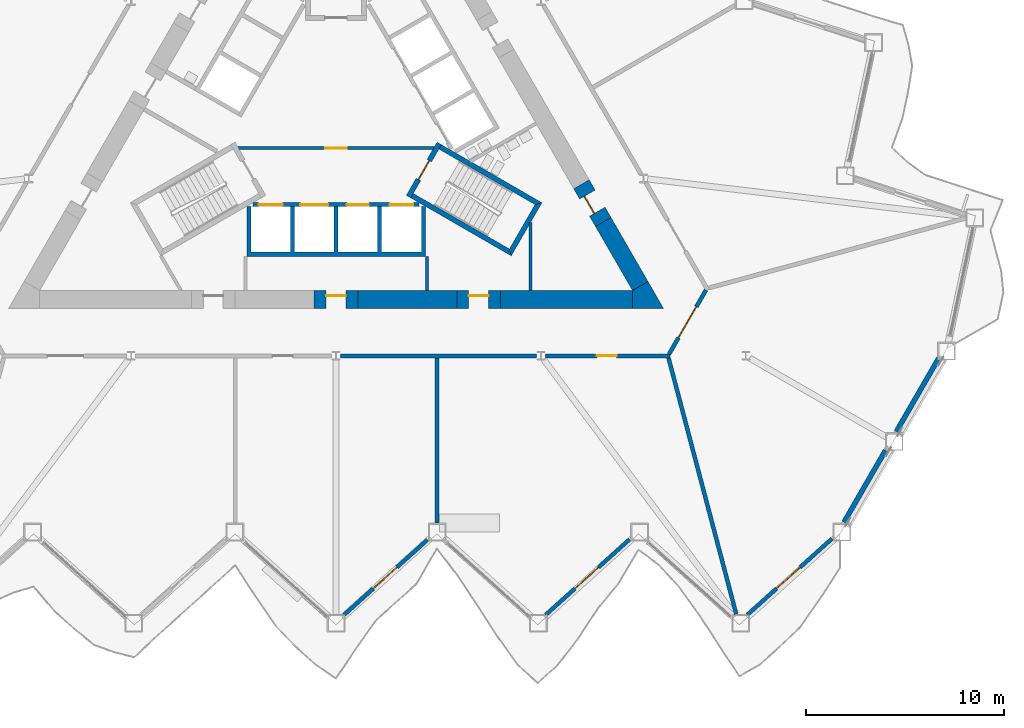
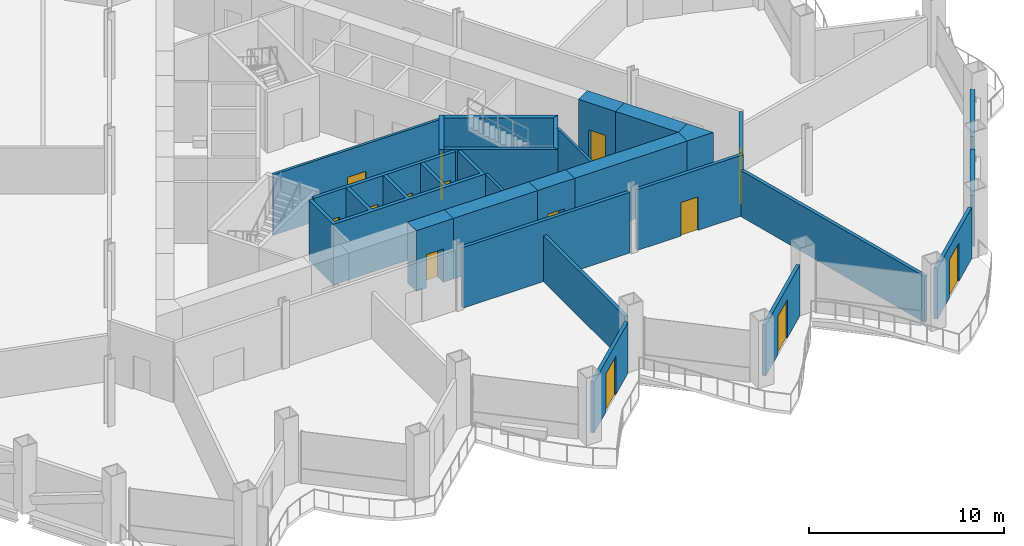
# One storey, part 11 of 21: 26 walls, 14 doors, 14 openings.
"""IFC4 building model written with IfcOpenShell, lengths in metres."""

from ifc_helpers import new_model, si_unit, direction, frame, frame_2d, origin, place, context, subcontext, project, spatial, polyline, rectangle, outline, extrude, material, layer, layer_set, type_object, element, fill, save


model = new_model("IFC4")

# Units and contexts
model_context = context("Model", 3, precision=1e-05, world=origin(), true_north=direction((0.0, 1.0)))
body_context = subcontext(model_context, "Body", "Model", "MODEL_VIEW")
ifc_project = project(units=[si_unit("LENGTHUNIT", "METRE"), si_unit("AREAUNIT", "SQUARE_METRE"), si_unit("VOLUMEUNIT", "CUBIC_METRE"), si_unit("PLANEANGLEUNIT", "RADIAN"), si_unit("MASSUNIT", "GRAM", prefix="KILO")], contexts=[model_context])

# Site, building, storey
site_placement = place(None, origin())
site = spatial("IfcSite", under=ifc_project, at=site_placement, CompositionType="ELEMENT")
building_placement = place(site_placement, origin())
building = spatial("IfcBuilding", under=site, at=building_placement, Name="Cormorant Prow Tower", CompositionType="ELEMENT")
storey_placement = place(building_placement, frame((0.0, 0.0, 150.0)))
storey = spatial("IfcBuildingStorey", under=building, at=storey_placement, Name="L32", CompositionType="ELEMENT", Elevation=150.0)

# Wall, opening, door
ifc_material_1 = material(Name="Gypsum board partition")
ifc_layer_1 = layer(ifc_material_1, 0.14990234375)
ifc_layer_set_1 = layer_set([ifc_layer_1], Name="Gypsum board partition")
wall_type_1 = type_object("IfcWallType", Name="Core partition 150", PredefinedType="PARTITIONING", material=ifc_layer_set_1)
wall_1_placement = place(storey_placement, frame((-4.941162109375, -1.449951171875, 0.0), z_axis=(0.0, 0.0, 1.0), x_axis=(1.0, 0.0, 0.0)))
wall_1 = element("IfcWall", 1, at=wall_1_placement, inside=storey, type_object=wall_type_1, Name="Firefighting lobby partition", PredefinedType="PARTITIONING", context=body_context, shape_type="SweptSolid", body=[
    extrude(rectangle(XDim=9.88232421875, YDim=0.14990234375, at=frame_2d((4.941162109375, 0.0))), origin(), (0.0, 0.0, 1.0), 3.800048828125),
])
opening_1_placement = place(wall_1_placement, frame((4.39111328125, 0.0, 0.0)))
opening_1 = element("IfcOpeningElement", 2, at=opening_1_placement, cuts=wall_1, Name="Opening L32-C08", PredefinedType="OPENING", context=body_context, shape_type="SweptSolid", body=[
    extrude(rectangle(XDim=1.10009765625, YDim=2.10009765625, at=frame_2d((0.550048828125, 1.050048828125))), frame((0.0, 0.0849609375, 0.0), z_axis=(0.0, -1.0, 0.0), x_axis=(1.0, 0.0, 0.0)), (0.0, 0.0, 1.0), 0.169921875),
])
ifc_material_2 = material(Name="Painted steel", Category="steel")
door_type_1 = type_object("IfcDoorType", Name="Firefighting lobby door 1100x2100", OperationType="NOTDEFINED", PredefinedType="DOOR", material=ifc_material_2)
door_1_placement = place(opening_1_placement, origin())
door_1 = element("IfcDoor", 3, at=door_1_placement, inside=storey, type_object=door_type_1, Name="Firefighting lobby door", OperationType="SINGLE_SWING_RIGHT", OverallHeight=2.10009765625, OverallWidth=1.10009765625, PredefinedType="DOOR", context=body_context, shape_type="SweptSolid", body=[
    extrude(rectangle(XDim=1.10009765625, YDim=2.10009765625, at=frame_2d((0.550048828125, 1.050048828125))), frame((0.0, 0.02490234375, 0.0), z_axis=(0.0, -1.0, 0.0), x_axis=(1.0, 0.0, 0.0)), (0.0, 0.0, 1.0), 0.050048828125),
])
fill(opening_1, door_1)

# Walls
wall_2_placement = place(storey_placement, frame((4.574951171875, -6.906005859375, 0.0), z_axis=(0.0, 0.0, 1.0), x_axis=(0.0, -1.0, 0.0)))
element("IfcWall", 4, at=wall_2_placement, inside=storey, type_object=wall_type_1, Name="Service room partition", PredefinedType="PARTITIONING", context=body_context, shape_type="SweptSolid", body=[
    extrude(rectangle(XDim=1.72021484375, YDim=0.14990234375, at=frame_2d((0.860107421875, 0.0))), origin(), (0.0, 0.0, 1.0), 3.800048828125),
])
wall_3_placement = place(storey_placement, frame((9.795654296875, -8.626220703125, 0.0), z_axis=(0.0, 0.0, 1.0), x_axis=(0.0, 1.0, 0.0)))
element("IfcWall", 5, at=wall_3_placement, inside=storey, type_object=wall_type_1, Name="Service room partition", PredefinedType="PARTITIONING", context=body_context, shape_type="SweptSolid", body=[
    extrude(rectangle(XDim=3.428955078125, YDim=0.14990234375, at=frame_2d((1.71435546875, 0.0))), origin(), (0.0, 0.0, 1.0), 3.800048828125),
])
ifc_material_3 = material(Name="Concrete 8000 psi", Category="concrete")
ifc_layer_2 = layer(ifc_material_3, 0.89990234375)
ifc_layer_set_2 = layer_set([ifc_layer_2], Name="Concrete 8000 psi")
wall_type_2 = type_object("IfcWallType", Name="Core shear wall 900", PredefinedType="SHEAR", material=ifc_layer_set_2)
wall_4_placement = place(storey_placement, frame((8.285400390625, -9.076416015625, 0.0), z_axis=(0.0, 0.0, 1.0), x_axis=(1.0, 0.0, 0.0)))
element("IfcWall", 6, at=wall_4_placement, inside=storey, type_object=wall_type_2, Name="Core wall", PredefinedType="SHEAR", context=body_context, shape_type="SweptSolid", body=[
    extrude(rectangle(XDim=6.65576171875, YDim=0.89990234375, at=frame_2d((3.327880859375, 0.0))), origin(), (0.0, 0.0, 1.0), 3.800048828125),
])
wall_5_placement = place(storey_placement, frame((1.10009765625, -9.076416015625, 0.0), z_axis=(0.0, 0.0, 1.0), x_axis=(1.0, 0.0, 0.0)))
element("IfcWall", 7, at=wall_5_placement, inside=storey, type_object=wall_type_2, Name="Core wall", PredefinedType="SHEAR", context=body_context, shape_type="SweptSolid", body=[
    extrude(rectangle(XDim=4.985107421875, YDim=0.89990234375, at=frame_2d((2.49267578125, 0.0))), origin(), (0.0, 0.0, 1.0), 3.800048828125),
])
wall_6_placement = place(storey_placement, frame((15.330810546875, -8.4013671875, 0.0), z_axis=(0.0, 0.0, 1.0), x_axis=(-0.499976014784, 0.866039251212, 0.0)))
element("IfcWall", 8, at=wall_6_placement, inside=storey, type_object=wall_type_2, Name="Core wall", PredefinedType="SHEAR", context=body_context, shape_type="SweptSolid", body=[
    extrude(rectangle(XDim=3.722900390625, YDim=0.89990234375, at=frame_2d((1.861328125, 0.0))), origin(), (0.0, 0.0, 1.0), 3.800048828125),
])
wall_7_placement = place(storey_placement, origin())
element("IfcWall", 9, at=wall_7_placement, inside=storey, type_object=wall_type_2, Name="Core wall corner", PredefinedType="SHEAR", context=body_context, shape_type="SweptSolid", body=[
    extrude(outline(polyline([(14.941162109375, -8.626220703125), (15.720703125, -8.17626953125), (16.5, -9.5263671875), (14.941162109375, -9.5263671875), (14.941162109375, -8.626220703125)])), origin(), (0.0, 0.0, 1.0), 3.800048828125),
])

# Wall, opening, door
wall_8_placement = place(storey_placement, frame((-1.10009765625, -9.076416015625, 0.0), z_axis=(0.0, 0.0, 1.0), x_axis=(1.0, 0.0, 0.0)))
wall_8 = element("IfcWall", 10, at=wall_8_placement, inside=storey, type_object=wall_type_2, Name="Core wall door panel", PredefinedType="SHEAR", context=body_context, shape_type="SweptSolid", body=[
    extrude(rectangle(XDim=2.2001953125, YDim=0.89990234375, at=frame_2d((1.10009765625, 0.0))), origin(), (0.0, 0.0, 1.0), 3.800048828125),
])
opening_2_placement = place(wall_8_placement, frame((0.60009765625, 0.0, 0.0)))
opening_2 = element("IfcOpeningElement", 11, at=opening_2_placement, cuts=wall_8, Name="Opening L32-C12", PredefinedType="OPENING", context=body_context, shape_type="SweptSolid", body=[
    extrude(rectangle(XDim=1.0, YDim=2.10009765625, at=frame_2d((0.5, 1.050048828125))), frame((0.0, 0.4599609375, 0.0), z_axis=(0.0, -1.0, 0.0), x_axis=(1.0, 0.0, 0.0)), (0.0, 0.0, 1.0), 0.919921875),
])
ifc_material_4 = material(Name="Painted steel", Category="steel")
door_type_2 = type_object("IfcDoorType", Name="Service door 1000x2100", OperationType="NOTDEFINED", PredefinedType="DOOR", material=ifc_material_4)
door_2_placement = place(opening_2_placement, origin())
door_2 = element("IfcDoor", 12, at=door_2_placement, inside=storey, type_object=door_type_2, Name="Core door, Electrical room", OperationType="SINGLE_SWING_RIGHT", OverallHeight=2.10009765625, OverallWidth=1.0, PredefinedType="DOOR", context=body_context, shape_type="SweptSolid", body=[
    extrude(rectangle(XDim=1.0, YDim=2.10009765625, at=frame_2d((0.5, 1.050048828125))), frame((0.0, 0.205078125, 0.0), z_axis=(0.0, -1.0, 0.0), x_axis=(1.0, 0.0, 0.0)), (0.0, 0.0, 1.0), 0.050048828125),
])
fill(opening_2, door_2)

wall_9_placement = place(storey_placement, frame((6.085205078125, -9.076416015625, 0.0), z_axis=(0.0, 0.0, 1.0), x_axis=(1.0, 0.0, 0.0)))
wall_9 = element("IfcWall", 13, at=wall_9_placement, inside=storey, type_object=wall_type_2, Name="Core wall door panel", PredefinedType="SHEAR", context=body_context, shape_type="SweptSolid", body=[
    extrude(rectangle(XDim=2.2001953125, YDim=0.89990234375, at=frame_2d((1.10009765625, 0.0))), origin(), (0.0, 0.0, 1.0), 3.800048828125),
])
opening_3_placement = place(wall_9_placement, frame((0.60009765625, 0.0, 0.0)))
opening_3 = element("IfcOpeningElement", 14, at=opening_3_placement, cuts=wall_9, Name="Opening L32-C13", PredefinedType="OPENING", context=body_context, shape_type="SweptSolid", body=[
    extrude(rectangle(XDim=1.0, YDim=2.10009765625, at=frame_2d((0.5, 1.050048828125))), frame((0.0, 0.4599609375, 0.0), z_axis=(0.0, -1.0, 0.0), x_axis=(1.0, 0.0, 0.0)), (0.0, 0.0, 1.0), 0.919921875),
])
door_3_placement = place(opening_3_placement, origin())
door_3 = element("IfcDoor", 15, at=door_3_placement, inside=storey, type_object=door_type_2, Name="Core door, Telecom room", OperationType="SINGLE_SWING_RIGHT", OverallHeight=2.10009765625, OverallWidth=1.0, PredefinedType="DOOR", context=body_context, shape_type="SweptSolid", body=[
    extrude(rectangle(XDim=1.0, YDim=2.10009765625, at=frame_2d((0.5, 1.050048828125))), frame((0.0, 0.205078125, 0.0), z_axis=(0.0, -1.0, 0.0), x_axis=(1.0, 0.0, 0.0)), (0.0, 0.0, 1.0), 0.050048828125),
])
fill(opening_3, door_3)

wall_10_placement = place(storey_placement, frame((13.469482421875, -5.17724609375, 0.0), z_axis=(0.0, 0.0, 1.0), x_axis=(-0.50002983664, 0.866008176907, 0.0)))
wall_10 = element("IfcWall", 16, at=wall_10_placement, inside=storey, type_object=wall_type_2, Name="Core wall door panel", PredefinedType="SHEAR", context=body_context, shape_type="SweptSolid", body=[
    extrude(rectangle(XDim=2.199951171875, YDim=0.89990234375, at=frame_2d((1.10009765625, 0.0))), origin(), (0.0, 0.0, 1.0), 3.800048828125),
])
opening_4_placement = place(wall_10_placement, frame((0.60009765625, 0.0, 0.0)))
opening_4 = element("IfcOpeningElement", 17, at=opening_4_placement, cuts=wall_10, Name="Opening L32-C15", PredefinedType="OPENING", context=body_context, shape_type="SweptSolid", body=[
    extrude(rectangle(XDim=1.0, YDim=2.10009765625, at=frame_2d((0.5, 1.050048828125))), frame((0.0, 0.4599609375, 0.0), z_axis=(0.0, -1.0, 0.0), x_axis=(1.0, 0.0, 0.0)), (0.0, 0.0, 1.0), 0.919921875),
])
door_4_placement = place(opening_4_placement, origin())
door_4 = element("IfcDoor", 18, at=door_4_placement, inside=storey, type_object=door_type_2, Name="Core door, Toilets (women) L32", OperationType="SINGLE_SWING_LEFT", OverallHeight=2.10009765625, OverallWidth=1.0, PredefinedType="DOOR", context=body_context, shape_type="SweptSolid", body=[
    extrude(rectangle(XDim=1.0, YDim=2.10009765625, at=frame_2d((0.5, 1.050048828125))), frame((0.0, 0.205078125, 0.0), z_axis=(0.0, -1.0, 0.0), x_axis=(1.0, 0.0, 0.0)), (0.0, 0.0, 1.0), 0.050048828125),
])
fill(opening_4, door_4)

# Wall
ifc_material_5 = material(Name="Gypsum board corridor wall")
ifc_layer_3 = layer(ifc_material_5, 0.199951171875)
ifc_layer_set_3 = layer_set([ifc_layer_3], Name="Gypsum board corridor wall")
wall_type_3 = type_object("IfcWallType", Name="Corridor wall 200", PredefinedType="PARTITIONING", material=ifc_layer_set_3)
wall_11_placement = place(storey_placement, frame((0.227294921875, -11.92626953125, 0.0), z_axis=(0.0, 0.0, 1.0), x_axis=(1.0, 0.0, 0.0)))
element("IfcWall", 19, at=wall_11_placement, inside=storey, type_object=wall_type_3, Name="Corridor wall", PredefinedType="PARTITIONING", context=body_context, shape_type="SweptSolid", body=[
    extrude(rectangle(XDim=9.873779296875, YDim=0.199951171875, at=frame_2d((4.93701171875, 0.0))), origin(), (0.0, 0.0, 1.0), 3.800048828125),
])

# Wall, opening, door
wall_12_placement = place(storey_placement, frame((10.555908203125, -11.92626953125, 0.0), z_axis=(0.0, 0.0, 1.0), x_axis=(1.0, 0.0, 0.0)))
wall_12 = element("IfcWall", 20, at=wall_12_placement, inside=storey, type_object=wall_type_3, Name="Corridor wall", PredefinedType="PARTITIONING", context=body_context, shape_type="SweptSolid", body=[
    extrude(rectangle(XDim=6.27490234375, YDim=0.199951171875, at=frame_2d((3.137451171875, 0.0))), origin(), (0.0, 0.0, 1.0), 3.800048828125),
])
opening_5_placement = place(wall_12_placement, frame((2.586669921875, 0.0, 0.0)))
opening_5 = element("IfcOpeningElement", 21, at=opening_5_placement, cuts=wall_12, Name="Opening L32-F03", PredefinedType="OPENING", context=body_context, shape_type="SweptSolid", body=[
    extrude(rectangle(XDim=1.0, YDim=2.10009765625, at=frame_2d((0.5, 1.050048828125))), frame((0.0, 0.10986328125, 0.0), z_axis=(0.0, -1.0, 0.0), x_axis=(1.0, 0.0, 0.0)), (0.0, 0.0, 1.0), 0.219970703125),
])
ifc_material_6 = material(Name="Timber door leaf", Category="wood")
door_type_3 = type_object("IfcDoorType", Name="Office door 1000x2100", OperationType="NOTDEFINED", PredefinedType="DOOR", material=ifc_material_6)
door_5_placement = place(opening_5_placement, origin())
door_5 = element("IfcDoor", 22, at=door_5_placement, inside=storey, type_object=door_type_3, Name="Tenant reception door", OperationType="SINGLE_SWING_RIGHT", OverallHeight=2.10009765625, OverallWidth=1.0, PredefinedType="DOOR", context=body_context, shape_type="SweptSolid", body=[
    extrude(rectangle(XDim=1.0, YDim=2.10009765625, at=frame_2d((0.5, 1.050048828125))), frame((0.0, 0.02490234375, 0.0), z_axis=(0.0, -1.0, 0.0), x_axis=(1.0, 0.0, 0.0)), (0.0, 0.0, 1.0), 0.050048828125),
])
fill(opening_5, door_5)

wall_13_placement = place(storey_placement, frame((16.781005859375, -11.839599609375, 0.0), z_axis=(0.0, 0.0, 1.0), x_axis=(0.499958791762, 0.866049194065, 0.0)))
wall_13 = element("IfcWall", 23, at=wall_13_placement, inside=storey, type_object=wall_type_3, Name="Corridor wall", PredefinedType="PARTITIONING", context=body_context, shape_type="SweptSolid", body=[
    extrude(rectangle(XDim=3.725830078125, YDim=0.199951171875, at=frame_2d((1.86279296875, 0.0))), origin(), (0.0, 0.0, 1.0), 3.800048828125),
])
opening_6_placement = place(wall_13_placement, frame((0.962890625, 0.0, 0.0)))
opening_6 = element("IfcOpeningElement", 24, at=opening_6_placement, cuts=wall_13, Name="Opening L32-F04", PredefinedType="OPENING", context=body_context, shape_type="SweptSolid", body=[
    extrude(rectangle(XDim=1.800048828125, YDim=2.10009765625, at=frame_2d((0.89990234375, 1.050048828125))), frame((0.0, 0.10986328125, 0.0), z_axis=(0.0, -1.0, 0.0), x_axis=(1.0, 0.0, 0.0)), (0.0, 0.0, 1.0), 0.219970703125),
])
ifc_material_7 = material(Name="Timber door leaf", Category="wood")
door_type_4 = type_object("IfcDoorType", Name="Double door 1800x2100", OperationType="DOUBLE_DOOR_SINGLE_SWING", PredefinedType="DOOR", material=ifc_material_7)
door_6_placement = place(opening_6_placement, origin())
door_6 = element("IfcDoor", 25, at=door_6_placement, inside=storey, type_object=door_type_4, Name="Open-plan office door", OperationType="DOUBLE_DOOR_SINGLE_SWING", OverallHeight=2.10009765625, OverallWidth=1.800048828125, PredefinedType="DOOR", context=body_context, shape_type="SweptSolid", body=[
    extrude(rectangle(XDim=1.800048828125, YDim=2.10009765625, at=frame_2d((0.89990234375, 1.050048828125))), frame((0.0, 0.02490234375, 0.0), z_axis=(0.0, -1.0, 0.0), x_axis=(1.0, 0.0, 0.0)), (0.0, 0.0, 1.0), 0.050048828125),
])
fill(opening_6, door_6)

# Walls
ifc_material_8 = material(Name="Gypsum board demising wall")
ifc_layer_4 = layer(ifc_material_8, 0.199951171875)
ifc_layer_set_4 = layer_set([ifc_layer_4], Name="Gypsum board demising wall")
wall_type_4 = type_object("IfcWallType", Name="Demising wall 200", PredefinedType="PARTITIONING", material=ifc_layer_set_4)
wall_14_placement = place(storey_placement, frame((16.75634765625, -12.02294921875, 0.0), z_axis=(0.0, 0.0, 1.0), x_axis=(0.25554647156, -0.966796773305, 0.0)))
element("IfcWall", 26, at=wall_14_placement, inside=storey, type_object=wall_type_4, Name="Demising wall", PredefinedType="PARTITIONING", context=body_context, shape_type="SweptSolid", body=[
    extrude(rectangle(XDim=13.35986328125, YDim=0.199951171875, at=frame_2d((6.679931640625, 0.0))), origin(), (0.0, 0.0, 1.0), 2.88525390625),
])
wall_15_placement = place(storey_placement, frame((5.081298828125, -20.34716796875, 0.0), z_axis=(0.0, 0.0, 1.0), x_axis=(0.0, 1.0, 0.0)))
element("IfcWall", 27, at=wall_15_placement, inside=storey, type_object=wall_type_4, Name="Demising wall", PredefinedType="PARTITIONING", context=body_context, shape_type="SweptSolid", body=[
    extrude(rectangle(XDim=8.32080078125, YDim=0.199951171875, at=frame_2d((4.160400390625, 0.0))), origin(), (0.0, 0.0, 1.0), 2.88525390625),
])

# Wall, openings, doors
ifc_material_9 = material(Name="Concrete 5000 psi", Category="concrete")
ifc_layer_5 = layer(ifc_material_9, 0.199951171875)
ifc_layer_set_5 = layer_set([ifc_layer_5], Name="Concrete 5000 psi")
wall_type_5 = type_object("IfcWallType", Name="Lift lobby wall 200", PredefinedType="SOLIDWALL", material=ifc_layer_set_5)
wall_16_placement = place(storey_placement, frame((-4.1865234375, -4.300048828125, 0.0), z_axis=(0.0, 0.0, 1.0), x_axis=(1.0, 0.0, 0.0)))
wall_16 = element("IfcWall", 28, at=wall_16_placement, inside=storey, type_object=wall_type_5, Name="Lift lobby wall, S block", PredefinedType="SOLIDWALL", context=body_context, shape_type="SweptSolid", body=[
    extrude(rectangle(XDim=8.373046875, YDim=0.199951171875, at=frame_2d((4.1865234375, 0.0))), origin(), (0.0, 0.0, 1.0), 3.800048828125),
])
opening_7_placement = place(wall_16_placement, frame((0.28662109375, 0.0, 0.0)))
opening_7 = element("IfcOpeningElement", 29, at=opening_7_placement, cuts=wall_16, Name="Opening L32-C01", PredefinedType="OPENING", context=body_context, shape_type="SweptSolid", body=[
    extrude(rectangle(XDim=1.199951171875, YDim=2.10009765625, at=frame_2d((0.60009765625, 1.050048828125))), frame((0.0, 0.10986328125, 0.0), z_axis=(0.0, -1.0, 0.0), x_axis=(1.0, 0.0, 0.0)), (0.0, 0.0, 1.0), 0.219970703125),
])
opening_8_placement = place(wall_16_placement, frame((2.38671875, 0.0, 0.0)))
opening_8 = element("IfcOpeningElement", 30, at=opening_8_placement, cuts=wall_16, Name="Opening L32-C02", PredefinedType="OPENING", context=body_context, shape_type="SweptSolid", body=[
    extrude(rectangle(XDim=1.39990234375, YDim=2.10009765625, at=frame_2d((0.699951171875, 1.050048828125))), frame((0.0, 0.10986328125, 0.0), z_axis=(0.0, -1.0, 0.0), x_axis=(1.0, 0.0, 0.0)), (0.0, 0.0, 1.0), 0.219970703125),
])
opening_9_placement = place(wall_16_placement, frame((4.736572265625, 0.0, 0.0)))
opening_9 = element("IfcOpeningElement", 31, at=opening_9_placement, cuts=wall_16, Name="Opening L32-C03", PredefinedType="OPENING", context=body_context, shape_type="SweptSolid", body=[
    extrude(rectangle(XDim=1.10009765625, YDim=2.10009765625, at=frame_2d((0.550048828125, 1.050048828125))), frame((0.0, 0.10986328125, 0.0), z_axis=(0.0, -1.0, 0.0), x_axis=(1.0, 0.0, 0.0)), (0.0, 0.0, 1.0), 0.219970703125),
])
opening_10_placement = place(wall_16_placement, frame((6.88671875, 0.0, 0.0)))
opening_10 = element("IfcOpeningElement", 32, at=opening_10_placement, cuts=wall_16, Name="Opening L32-C04", PredefinedType="OPENING", context=body_context, shape_type="SweptSolid", body=[
    extrude(rectangle(XDim=1.199951171875, YDim=2.10009765625, at=frame_2d((0.60009765625, 1.050048828125))), frame((0.0, 0.10986328125, 0.0), z_axis=(0.0, -1.0, 0.0), x_axis=(1.0, 0.0, 0.0)), (0.0, 0.0, 1.0), 0.219970703125),
])
ifc_material_10 = material(Name="Painted steel", Category="steel")
door_type_5 = type_object("IfcDoorType", Name="Firefighting lift landing door 1200x2100", OperationType="SLIDING_TO_LEFT", PredefinedType="DOOR", material=ifc_material_10)
door_7_placement = place(opening_7_placement, origin())
door_7 = element("IfcDoor", 33, at=door_7_placement, inside=storey, type_object=door_type_5, Name="Landing door FL1", OperationType="SLIDING_TO_LEFT", OverallHeight=2.10009765625, OverallWidth=1.199951171875, PredefinedType="DOOR", context=body_context, shape_type="SweptSolid", body=[
    extrude(rectangle(XDim=1.199951171875, YDim=2.10009765625, at=frame_2d((0.60009765625, 1.050048828125))), frame((0.0, 0.02490234375, 0.0), z_axis=(0.0, -1.0, 0.0), x_axis=(1.0, 0.0, 0.0)), (0.0, 0.0, 1.0), 0.050048828125),
])
fill(opening_7, door_7)
door_8_placement = place(opening_10_placement, origin())
door_8 = element("IfcDoor", 34, at=door_8_placement, inside=storey, type_object=door_type_5, Name="Landing door FL2", OperationType="SLIDING_TO_LEFT", OverallHeight=2.10009765625, OverallWidth=1.199951171875, PredefinedType="DOOR", context=body_context, shape_type="SweptSolid", body=[
    extrude(rectangle(XDim=1.199951171875, YDim=2.10009765625, at=frame_2d((0.60009765625, 1.050048828125))), frame((0.0, 0.02490234375, 0.0), z_axis=(0.0, -1.0, 0.0), x_axis=(1.0, 0.0, 0.0)), (0.0, 0.0, 1.0), 0.050048828125),
])
fill(opening_10, door_8)
ifc_material_11 = material(Name="Painted steel", Category="steel")
door_type_6 = type_object("IfcDoorType", Name="Lift landing door 1100x2100", OperationType="SLIDING_TO_LEFT", PredefinedType="DOOR", material=ifc_material_11)
door_9_placement = place(opening_9_placement, origin())
door_9 = element("IfcDoor", 35, at=door_9_placement, inside=storey, type_object=door_type_6, Name="Landing door LR1", OperationType="SLIDING_TO_LEFT", OverallHeight=2.10009765625, OverallWidth=1.10009765625, PredefinedType="DOOR", context=body_context, shape_type="SweptSolid", body=[
    extrude(rectangle(XDim=1.10009765625, YDim=2.10009765625, at=frame_2d((0.550048828125, 1.050048828125))), frame((0.0, 0.02490234375, 0.0), z_axis=(0.0, -1.0, 0.0), x_axis=(1.0, 0.0, 0.0)), (0.0, 0.0, 1.0), 0.050048828125),
])
fill(opening_9, door_9)
ifc_material_12 = material(Name="Painted steel", Category="steel")
door_type_7 = type_object("IfcDoorType", Name="Service lift landing door 1400x2100", OperationType="SLIDING_TO_LEFT", PredefinedType="DOOR", material=ifc_material_12)
door_10_placement = place(opening_8_placement, origin())
door_10 = element("IfcDoor", 36, at=door_10_placement, inside=storey, type_object=door_type_7, Name="Landing door SL1", OperationType="SLIDING_TO_LEFT", OverallHeight=2.10009765625, OverallWidth=1.39990234375, PredefinedType="DOOR", context=body_context, shape_type="SweptSolid", body=[
    extrude(rectangle(XDim=1.39990234375, YDim=2.10009765625, at=frame_2d((0.699951171875, 1.050048828125))), frame((0.0, 0.02490234375, 0.0), z_axis=(0.0, -1.0, 0.0), x_axis=(1.0, 0.0, 0.0)), (0.0, 0.0, 1.0), 0.050048828125),
])
fill(opening_8, door_10)

# Walls
ifc_material_13 = material(Name="Concrete 8000 psi", Category="concrete")
ifc_layer_6 = layer(ifc_material_13, 0.199951171875)
ifc_layer_set_6 = layer_set([ifc_layer_6], Name="Concrete 8000 psi")
wall_type_6 = type_object("IfcWallType", Name="Lift shaft wall 200", PredefinedType="SHEAR", material=ifc_layer_set_6)
wall_17_placement = place(storey_placement, origin())
element("IfcWall", 37, at=wall_17_placement, inside=storey, type_object=wall_type_6, Name="Lift shaft walls, S block", PredefinedType="SHEAR", context=body_context, shape_type="SweptSolid", body=[
    extrude(outline(polyline([(4.5, -4.39990234375), (4.5, -6.906005859375), (-4.5, -6.906005859375), (-4.5, -4.39990234375), (-4.300048828125, -4.39990234375), (-4.300048828125, -6.699951171875), (-2.300048828125, -6.699951171875), (-2.300048828125, -4.39990234375), (-2.10009765625, -4.39990234375), (-2.10009765625, -6.699951171875), (-0.10009765625, -6.699951171875), (-0.10009765625, -4.39990234375), (0.10009765625, -4.39990234375), (0.10009765625, -6.699951171875), (2.10009765625, -6.699951171875), (2.10009765625, -4.39990234375), (2.300048828125, -4.39990234375), (2.300048828125, -6.699951171875), (4.300048828125, -6.699951171875), (4.300048828125, -4.39990234375), (4.5, -4.39990234375)])), origin(), (0.0, 0.0, 1.0), 3.800048828125),
])
ifc_material_14 = material(Name="Concrete 8000 psi", Category="concrete")
ifc_layer_7 = layer(ifc_material_14, 0.25)
ifc_layer_set_7 = layer_set([ifc_layer_7], Name="Concrete 8000 psi")
wall_type_7 = type_object("IfcWallType", Name="Stair wall 250", PredefinedType="SHEAR", material=ifc_layer_set_7)
wall_18_placement = place(storey_placement, origin())
element("IfcWall", 38, at=wall_18_placement, inside=storey, type_object=wall_type_7, Name="Stair ST2 enclosure wall (flank)", PredefinedType="SHEAR", context=body_context, shape_type="SweptSolid", body=[
    extrude(outline(polyline([(3.76318359375, -3.95556640625), (8.82958984375, -6.880615234375), (8.738037109375, -6.5390625), (3.88818359375, -3.739013671875), (3.76318359375, -3.95556640625)])), origin(), (0.0, 0.0, 1.0), 3.800048828125),
])
wall_19_placement = place(storey_placement, origin())
element("IfcWall", 39, at=wall_19_placement, inside=storey, type_object=wall_type_7, Name="Stair ST2 enclosure wall (end)", PredefinedType="SHEAR", context=body_context, shape_type="SweptSolid", body=[
    extrude(outline(polyline([(8.82958984375, -6.880615234375), (10.37353515625, -4.206298828125), (10.031982421875, -4.2978515625), (8.738037109375, -6.5390625), (8.82958984375, -6.880615234375)])), origin(), (0.0, 0.0, 1.0), 3.800048828125),
])
wall_20_placement = place(storey_placement, origin())
element("IfcWall", 40, at=wall_20_placement, inside=storey, type_object=wall_type_7, Name="Stair ST2 enclosure wall (flank)", PredefinedType="SHEAR", context=body_context, shape_type="SweptSolid", body=[
    extrude(outline(polyline([(10.031982421875, -4.2978515625), (10.37353515625, -4.206298828125), (5.30712890625, -1.28125), (5.18212890625, -1.497802734375), (10.031982421875, -4.2978515625)])), origin(), (0.0, 0.0, 1.0), 3.800048828125),
])

# Wall, opening, door
wall_21_placement = place(storey_placement, frame((3.655029296875, -3.89306640625, 0.0), z_axis=(0.0, 0.0, 1.0), x_axis=(0.499982516597, 0.866035497597, 0.0)))
wall_21 = element("IfcWall", 41, at=wall_21_placement, inside=storey, type_object=wall_type_7, Name="Stair ST2 door wall", PredefinedType="SHEAR", context=body_context, shape_type="SweptSolid", body=[
    extrude(rectangle(XDim=3.087890625, YDim=0.25, at=frame_2d((1.5439453125, 0.0))), origin(), (0.0, 0.0, 1.0), 3.800048828125),
])
opening_11_placement = place(wall_21_placement, frame((0.993896484375, 0.0, 0.0)))
opening_11 = element("IfcOpeningElement", 42, at=opening_11_placement, cuts=wall_21, Name="Opening L32-C10", PredefinedType="OPENING", context=body_context, shape_type="SweptSolid", body=[
    extrude(rectangle(XDim=1.10009765625, YDim=2.10009765625, at=frame_2d((0.550048828125, 1.050048828125))), frame((0.0, 0.135009765625, 0.0), z_axis=(0.0, -1.0, 0.0), x_axis=(1.0, 0.0, 0.0)), (0.0, 0.0, 1.0), 0.27001953125),
])
ifc_material_15 = material(Name="Painted steel", Category="steel")
door_type_8 = type_object("IfcDoorType", Name="Stair door 1100x2100", OperationType="NOTDEFINED", PredefinedType="DOOR", material=ifc_material_15)
door_11_placement = place(opening_11_placement, origin())
door_11 = element("IfcDoor", 43, at=door_11_placement, inside=storey, type_object=door_type_8, Name="Stair ST2 door", OperationType="SINGLE_SWING_RIGHT", OverallHeight=2.10009765625, OverallWidth=1.10009765625, PredefinedType="DOOR", context=body_context, shape_type="SweptSolid", body=[
    extrude(rectangle(XDim=1.10009765625, YDim=2.10009765625, at=frame_2d((0.550048828125, 1.050048828125))), frame((0.0, 0.02490234375, 0.0), z_axis=(0.0, -1.0, 0.0), x_axis=(1.0, 0.0, 0.0)), (0.0, 0.0, 1.0), 0.050048828125),
])
fill(opening_11, door_11)

# Walls
ifc_material_16 = material(Name="Terracotta", Category="masonry")
ifc_layer_8 = layer(ifc_material_16, 0.25)
ifc_layer_set_8 = layer_set([ifc_layer_8], Name="Terracotta")
wall_type_8 = type_object("IfcWallType", Name="Terracotta bay wall 250", PredefinedType="SOLIDWALL", material=ifc_layer_set_8)
wall_22_placement = place(storey_placement, frame((25.60595703125, -20.30712890625, 0.0), z_axis=(0.0, 0.0, 1.0), x_axis=(0.500002690545, 0.866023850392, 0.0)))
element("IfcWall", 44, at=wall_22_placement, inside=storey, type_object=wall_type_8, Name="Terracotta bay wall ESE00", PredefinedType="SOLIDWALL", context=body_context, shape_type="SweptSolid", body=[
    extrude(rectangle(XDim=4.1728515625, YDim=0.25, at=frame_2d((2.08642578125, 0.0))), origin(), (0.0, 0.0, 1.0), 3.18896484375),
])
wall_23_placement = place(storey_placement, frame((28.240966796875, -15.743408203125, 0.0), z_axis=(0.0, 0.0, 1.0), x_axis=(0.499995966399, 0.866027732573, 0.0)))
element("IfcWall", 45, at=wall_23_placement, inside=storey, type_object=wall_type_8, Name="Terracotta bay wall ESE01", PredefinedType="SOLIDWALL", context=body_context, shape_type="SweptSolid", body=[
    extrude(rectangle(XDim=4.275390625, YDim=0.25, at=frame_2d((2.1376953125, 0.0))), origin(), (0.0, 0.0, 1.0), 3.18896484375),
])

# Wall, opening, door
ifc_material_17 = material(Name="Terracotta", Category="masonry")
ifc_layer_9 = layer(ifc_material_17, 0.199951171875)
ifc_layer_set_9 = layer_set([ifc_layer_9], Name="Terracotta")
wall_type_9 = type_object("IfcWallType", Name="Terracotta jamb wall 200", PredefinedType="SOLIDWALL", material=ifc_layer_set_9)
wall_24_placement = place(storey_placement, frame((0.40576171875, -24.97705078125, 0.0), z_axis=(0.0, 0.0, 1.0), x_axis=(0.743158726114, 0.669115167815, 0.0)))
wall_24 = element("IfcWall", 46, at=wall_24_placement, inside=storey, type_object=wall_type_9, Name="Terracotta jamb wall S05", PredefinedType="SOLIDWALL", context=body_context, shape_type="SweptSolid", body=[
    extrude(rectangle(XDim=5.648193359375, YDim=0.199951171875, at=frame_2d((2.82421875, 0.0))), origin(), (0.0, 0.0, 1.0), 3.18896484375),
])
opening_12_placement = place(wall_24_placement, frame((1.98291015625, 0.0, 0.0)))
opening_12 = element("IfcOpeningElement", 47, at=opening_12_placement, cuts=wall_24, Name="Opening ED32.03", PredefinedType="OPENING", context=body_context, shape_type="SweptSolid", body=[
    extrude(rectangle(XDim=1.60009765625, YDim=2.39990234375, at=frame_2d((0.800048828125, 1.199951171875))), frame((0.0, 0.10986328125, 0.0), z_axis=(0.0, -1.0, 0.0), x_axis=(1.0, 0.0, 0.0)), (0.0, 0.0, 1.0), 0.219970703125),
])
ifc_material_18 = material(Name="Aluminium 6063-T6", Category="aluminium")
door_type_9 = type_object("IfcDoorType", Name="Balcony door 1600x2400", OperationType="DOUBLE_DOOR_SINGLE_SWING", PredefinedType="DOOR", material=ifc_material_18)
door_12_placement = place(opening_12_placement, origin())
door_12 = element("IfcDoor", 48, at=door_12_placement, inside=storey, type_object=door_type_9, Name="Balcony door S05 ED32.03", OperationType="DOUBLE_DOOR_SINGLE_SWING", OverallHeight=2.39990234375, OverallWidth=1.60009765625, PredefinedType="DOOR", context=body_context, shape_type="SweptSolid", body=[
    extrude(rectangle(XDim=1.60009765625, YDim=2.39990234375, at=frame_2d((0.800048828125, 1.199951171875))), frame((0.0, 0.02490234375, 0.0), z_axis=(0.0, -1.0, 0.0), x_axis=(1.0, 0.0, 0.0)), (0.0, 0.0, 1.0), 0.050048828125),
])
fill(opening_12, door_12)

wall_25_placement = place(storey_placement, frame((10.568603515625, -24.97705078125, 0.0), z_axis=(0.0, 0.0, 1.0), x_axis=(0.743151159824, 0.669123571287, 0.0)))
wall_25 = element("IfcWall", 49, at=wall_25_placement, inside=storey, type_object=wall_type_9, Name="Terracotta jamb wall S07", PredefinedType="SOLIDWALL", context=body_context, shape_type="SweptSolid", body=[
    extrude(rectangle(XDim=5.68896484375, YDim=0.199951171875, at=frame_2d((2.844482421875, 0.0))), origin(), (0.0, 0.0, 1.0), 3.18896484375),
])
opening_13_placement = place(wall_25_placement, frame((1.98291015625, 0.0, 0.0)))
opening_13 = element("IfcOpeningElement", 50, at=opening_13_placement, cuts=wall_25, Name="Opening ED32.04", PredefinedType="OPENING", context=body_context, shape_type="SweptSolid", body=[
    extrude(rectangle(XDim=1.60009765625, YDim=2.39990234375, at=frame_2d((0.800048828125, 1.199951171875))), frame((0.0, 0.10986328125, 0.0), z_axis=(0.0, -1.0, 0.0), x_axis=(1.0, 0.0, 0.0)), (0.0, 0.0, 1.0), 0.219970703125),
])
door_13_placement = place(opening_13_placement, origin())
door_13 = element("IfcDoor", 51, at=door_13_placement, inside=storey, type_object=door_type_9, Name="Balcony door S07 ED32.04", OperationType="DOUBLE_DOOR_SINGLE_SWING", OverallHeight=2.39990234375, OverallWidth=1.60009765625, PredefinedType="DOOR", context=body_context, shape_type="SweptSolid", body=[
    extrude(rectangle(XDim=1.60009765625, YDim=2.39990234375, at=frame_2d((0.800048828125, 1.199951171875))), frame((0.0, 0.02490234375, 0.0), z_axis=(0.0, -1.0, 0.0), x_axis=(1.0, 0.0, 0.0)), (0.0, 0.0, 1.0), 0.050048828125),
])
fill(opening_13, door_13)

wall_26_placement = place(storey_placement, frame((20.7314453125, -24.97705078125, 0.0), z_axis=(0.0, 0.0, 1.0), x_axis=(0.743150280241, 0.669124548181, 0.0)))
wall_26 = element("IfcWall", 52, at=wall_26_placement, inside=storey, type_object=wall_type_9, Name="Terracotta jamb wall S09", PredefinedType="SOLIDWALL", context=body_context, shape_type="SweptSolid", body=[
    extrude(rectangle(XDim=5.738525390625, YDim=0.199951171875, at=frame_2d((2.869140625, 0.0))), origin(), (0.0, 0.0, 1.0), 3.18896484375),
])
opening_14_placement = place(wall_26_placement, frame((1.98291015625, 0.0, 0.0)))
opening_14 = element("IfcOpeningElement", 53, at=opening_14_placement, cuts=wall_26, Name="Opening ED32.05", PredefinedType="OPENING", context=body_context, shape_type="SweptSolid", body=[
    extrude(rectangle(XDim=1.60009765625, YDim=2.39990234375, at=frame_2d((0.800048828125, 1.199951171875))), frame((0.0, 0.10986328125, 0.0), z_axis=(0.0, -1.0, 0.0), x_axis=(1.0, 0.0, 0.0)), (0.0, 0.0, 1.0), 0.219970703125),
])
door_14_placement = place(opening_14_placement, origin())
door_14 = element("IfcDoor", 54, at=door_14_placement, inside=storey, type_object=door_type_9, Name="Balcony door S09 ED32.05", OperationType="DOUBLE_DOOR_SINGLE_SWING", OverallHeight=2.39990234375, OverallWidth=1.60009765625, PredefinedType="DOOR", context=body_context, shape_type="SweptSolid", body=[
    extrude(rectangle(XDim=1.60009765625, YDim=2.39990234375, at=frame_2d((0.800048828125, 1.199951171875))), frame((0.0, 0.02490234375, 0.0), z_axis=(0.0, -1.0, 0.0), x_axis=(1.0, 0.0, 0.0)), (0.0, 0.0, 1.0), 0.050048828125),
])
fill(opening_14, door_14)

save(model, "model.ifc")
